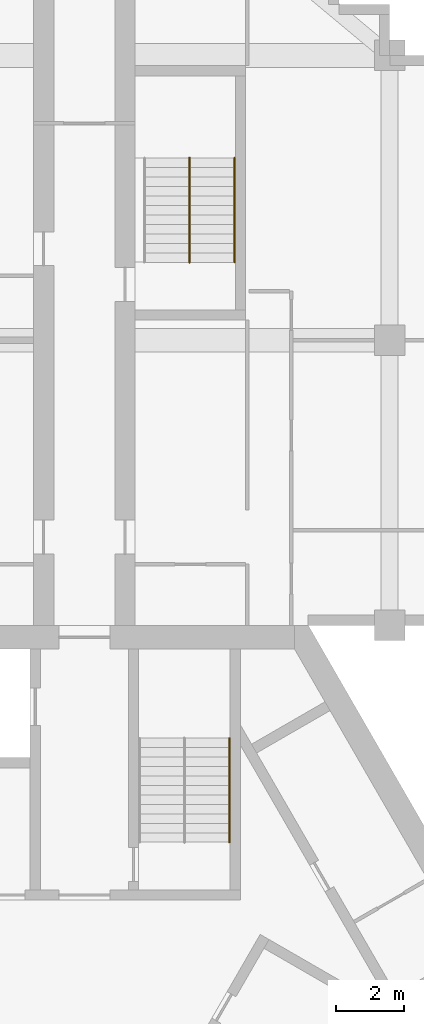
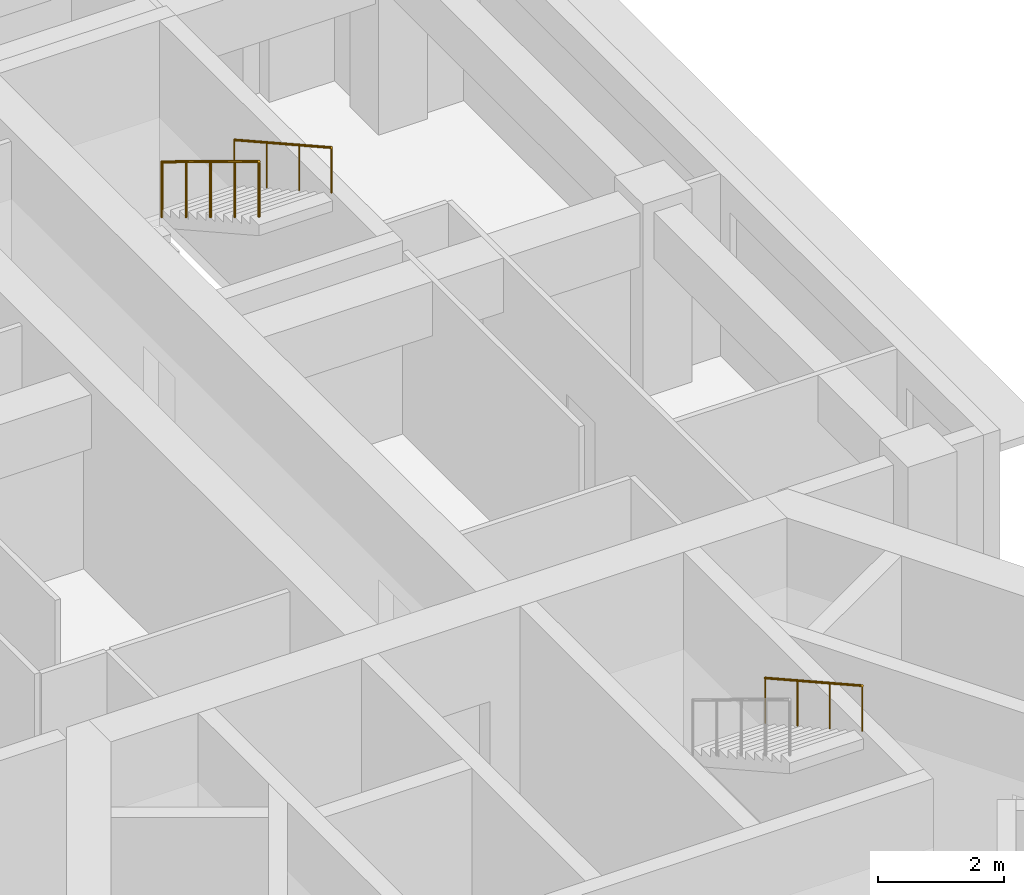
# One storey, part 11 of 11: 3 railings.
"""IFC4 building model written with IfcOpenShell, lengths in metres."""

from ifc_helpers import new_model, si_unit, direction, frame, origin, origin_2d, place, context, subcontext, project, spatial, circle, extrude, material, type_object, element, save


model = new_model("IFC4")

# Units and contexts
model_context = context("Model", 3, precision=1e-05, world=origin(), true_north=direction((0.0, 1.0)))
body_context = subcontext(model_context, "Body", "Model", "MODEL_VIEW")
ifc_project = project(units=[si_unit("LENGTHUNIT", "METRE"), si_unit("AREAUNIT", "SQUARE_METRE"), si_unit("VOLUMEUNIT", "CUBIC_METRE"), si_unit("PLANEANGLEUNIT", "RADIAN"), si_unit("MASSUNIT", "GRAM", prefix="KILO")], contexts=[model_context])

# Site, building, storey
site_placement = place(None, origin())
site = spatial("IfcSite", under=ifc_project, at=site_placement, CompositionType="ELEMENT")
building_placement = place(site_placement, origin())
building = spatial("IfcBuilding", under=site, at=building_placement, Name="Impinga Residences", CompositionType="ELEMENT")
storey_placement = place(building_placement, frame((0.0, 0.0, 218.5)))
storey = spatial("IfcBuildingStorey", under=building, at=storey_placement, Name="L54", CompositionType="ELEMENT", Elevation=218.5)

# Railings
ifc_material_1 = material(Name="Steel guard, powder coated", Category="steel")
railing_type_1 = type_object("IfcRailingType", Name="GR1 stair guard 1100", PredefinedType="GUARDRAIL", material=ifc_material_1)
railing_1_placement = place(storey_placement, frame((3.10009765625, 25.21142578125, 1.875)))
element("IfcRailing", 1, at=railing_1_placement, inside=storey, type_object=railing_type_1, Name="Stair guard GR1 WS1 L54", PredefinedType="GUARDRAIL", context=body_context, shape_type="SweptSolid", body=[
    extrude(circle(Radius=0.02392578125, at=origin_2d()), frame((0.0, 0.0, 1.076171875), z_axis=(0.0, -0.854159328187, 0.520011386482), x_axis=(1.0, 0.0, 0.0)), (0.0, 0.0, 1.0), 3.605712890625),
    extrude(circle(Radius=0.02099609375, at=origin_2d()), origin(), (0.0, 0.0, 1.0), 1.052001953125),
    extrude(circle(Radius=0.02099609375, at=origin_2d()), frame((0.0, -0.77001953125, 0.46875)), (0.0, 0.0, 1.0), 1.052001953125),
    extrude(circle(Radius=0.02099609375, at=origin_2d()), frame((0.0, -1.5400390625, 0.9375)), (0.0, 0.0, 1.0), 1.052001953125),
    extrude(circle(Radius=0.02099609375, at=origin_2d()), frame((0.0, -2.309814453125, 1.40625)), (0.0, 0.0, 1.0), 1.052001953125),
    extrude(circle(Radius=0.02099609375, at=origin_2d()), frame((0.0, -3.079833984375, 1.875)), (0.0, 0.0, 1.0), 1.052001953125),
])
ifc_material_2 = material(Name="Steel handrail tube 42 mm, powder coated", Category="steel")
railing_type_2 = type_object("IfcRailingType", Name="HR1 stair handrail, 42 mm steel tube, 900 above the pitch line", PredefinedType="HANDRAIL", material=ifc_material_2)
railing_2_placement = place(storey_placement, frame((4.279052734375, 8.110107421875, 2.03125)))
element("IfcRailing", 2, at=railing_2_placement, inside=storey, type_object=railing_type_2, Name="Stair handrail HR1 ST1 L54", PredefinedType="HANDRAIL", context=body_context, shape_type="SweptSolid", body=[
    extrude(circle(Radius=0.02099609375, at=origin_2d()), frame((0.0, 0.0, 0.87890625), z_axis=(0.0, -0.873241540666, 0.487287606713), x_axis=(1.0, 0.0, 0.0)), (0.0, 0.0, 1.0), 3.527099609375),
    extrude(circle(Radius=0.012451171875, at=origin_2d()), origin(), (0.0, 0.0, 1.0), 0.85791015625),
    extrude(circle(Radius=0.012451171875, at=origin_2d()), frame((0.0, -1.026611328125, 0.572998046875)), (0.0, 0.0, 1.0), 0.85791015625),
    extrude(circle(Radius=0.012451171875, at=origin_2d()), frame((0.0, -2.053466796875, 1.145751953125)), (0.0, 0.0, 1.0), 0.85791015625),
    extrude(circle(Radius=0.012451171875, at=origin_2d()), frame((0.0, -3.080078125, 1.71875)), (0.0, 0.0, 1.0), 0.85791015625),
])
railing_3_placement = place(storey_placement, frame((4.428955078125, 25.21142578125, 2.03125)))
element("IfcRailing", 3, at=railing_3_placement, inside=storey, type_object=railing_type_2, Name="Stair handrail HR1 WS1 L54", PredefinedType="HANDRAIL", context=body_context, shape_type="SweptSolid", body=[
    extrude(circle(Radius=0.02099609375, at=origin_2d()), frame((0.0, 0.0, 0.87890625), z_axis=(0.0, -0.873225103656, 0.487317061414), x_axis=(1.0, 0.0, 0.0)), (0.0, 0.0, 1.0), 3.52685546875),
    extrude(circle(Radius=0.012451171875, at=origin_2d()), origin(), (0.0, 0.0, 1.0), 0.85791015625),
    extrude(circle(Radius=0.012451171875, at=origin_2d()), frame((0.0, -1.026611328125, 0.572998046875)), (0.0, 0.0, 1.0), 0.85791015625),
    extrude(circle(Radius=0.012451171875, at=origin_2d()), frame((0.0, -2.05322265625, 1.145751953125)), (0.0, 0.0, 1.0), 0.85791015625),
    extrude(circle(Radius=0.012451171875, at=origin_2d()), frame((0.0, -3.079833984375, 1.71875)), (0.0, 0.0, 1.0), 0.85791015625),
])

save(model, "model.ifc")
